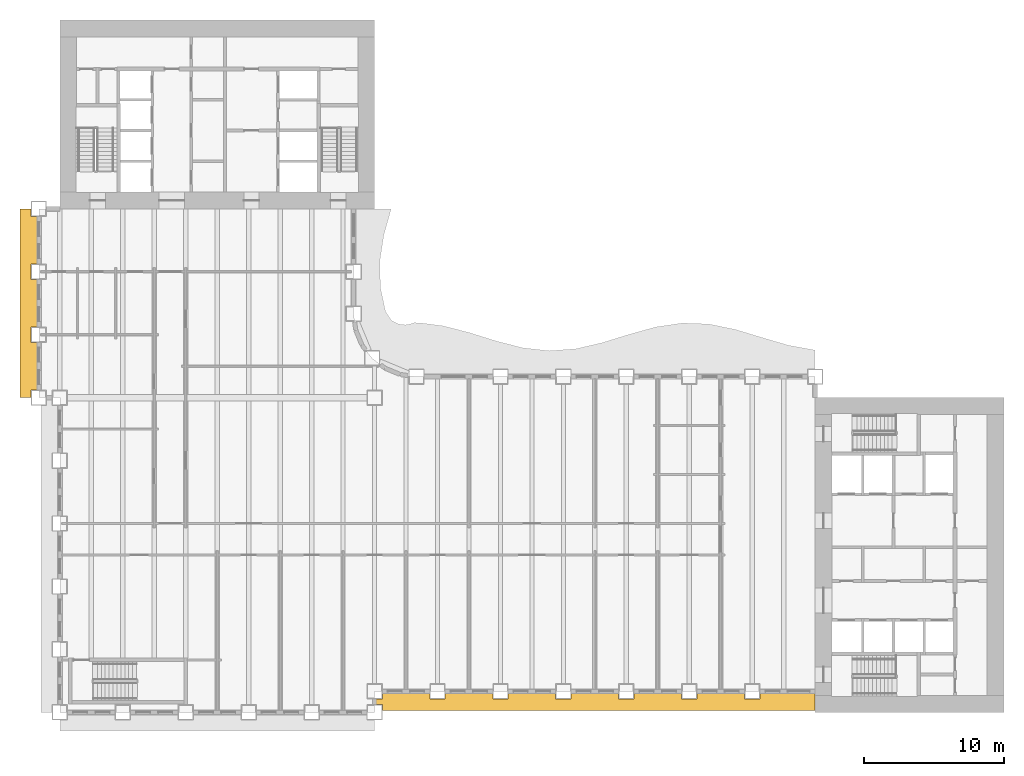
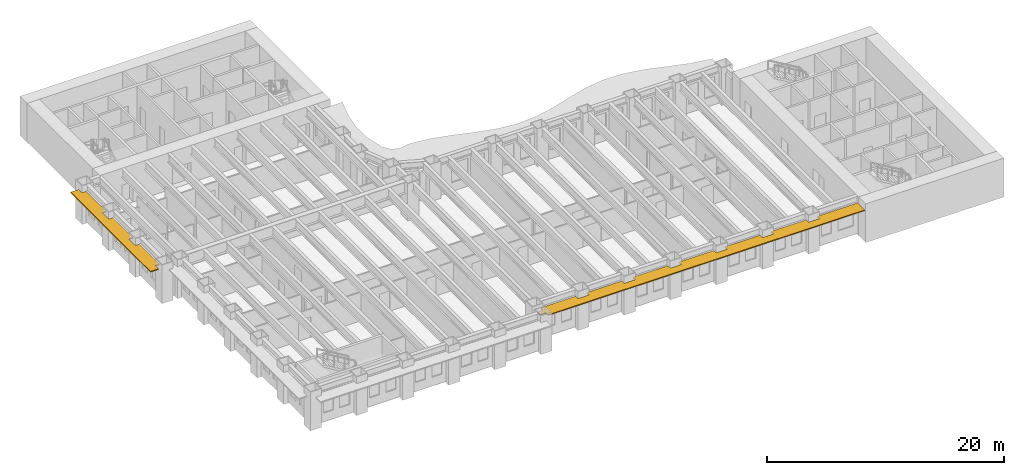
# One storey, part 12 of 16: 2 shading devices.
"""IFC4 building model written with IfcOpenShell, lengths in metres."""

from ifc_helpers import new_model, si_unit, direction, frame, origin, place, context, subcontext, project, spatial, polyline, outline, extrude, material, layer, layer_set, type_object, element, save


model = new_model("IFC4")

# Units and contexts
model_context = context("Model", 3, precision=1e-05, world=origin(), true_north=direction((0.0, 1.0)))
body_context = subcontext(model_context, "Body", "Model", "MODEL_VIEW")
ifc_project = project(units=[si_unit("LENGTHUNIT", "METRE"), si_unit("AREAUNIT", "SQUARE_METRE"), si_unit("VOLUMEUNIT", "CUBIC_METRE"), si_unit("PLANEANGLEUNIT", "RADIAN"), si_unit("MASSUNIT", "GRAM", prefix="KILO")], contexts=[model_context])

# Site, building, storey
site_placement = place(None, origin())
site = spatial("IfcSite", under=ifc_project, at=site_placement, CompositionType="ELEMENT")
building_placement = place(site_placement, origin())
building = spatial("IfcBuilding", under=site, at=building_placement, Name="Sennacour Bend Tower", CompositionType="ELEMENT")
storey_placement = place(building_placement, frame((0.0, 0.0, 45.0)))
storey = spatial("IfcBuildingStorey", under=building, at=storey_placement, Name="L09", CompositionType="ELEMENT", Elevation=45.0)

# Shading devices
ifc_material = material(Name="Bronze anodised aluminium", Category="aluminium")
ifc_layer = layer(ifc_material, 0.10009765625, Name="Bronze anodised aluminium", Category="aluminium")
ifc_layer_set = layer_set([ifc_layer], Name="Bronze anodised aluminium")
shading_device_type = type_object("IfcShadingDeviceType", Name="SUNSHADE BAND STRAIGHT", PredefinedType="USERDEFINED", material=ifc_layer_set)
shading_device_1_placement = place(storey_placement, frame((0.0, 0.0, 3.0439453125)))
element("IfcShadingDevice", 1, at=shading_device_1_placement, inside=storey, type_object=shading_device_type, Name="Sunshade band L09 A outer face", ObjectType="SUNSHADE", PredefinedType="USERDEFINED", context=body_context, shape_type="SweptSolid", body=[
    extrude(outline(polyline([(26.449951171875, 1.35009765625), (26.449951171875, 0.949951171875), (27.550048828125, 0.949951171875), (27.550048828125, 1.35009765625), (30.949951171875, 1.35009765625), (30.949951171875, 0.949951171875), (32.050048828125, 0.949951171875), (32.050048828125, 1.35009765625), (35.449951171875, 1.35009765625), (35.449951171875, 0.949951171875), (36.550048828125, 0.949951171875), (36.550048828125, 1.35009765625), (39.949951171875, 1.35009765625), (39.949951171875, 0.949951171875), (41.050048828125, 0.949951171875), (41.050048828125, 1.35009765625), (44.449951171875, 1.35009765625), (44.449951171875, 0.949951171875), (45.550048828125, 0.949951171875), (45.550048828125, 1.35009765625), (48.949951171875, 1.35009765625), (48.949951171875, 0.949951171875), (50.050048828125, 0.949951171875), (50.050048828125, 1.35009765625), (54.0, 1.35009765625), (54.0, 0.14990234375), (23.050048828125, 0.14990234375), (23.050048828125, 0.550048828125), (22.5, 0.550048828125), (22.5, 0.949951171875), (23.050048828125, 0.949951171875), (23.050048828125, 1.35009765625), (26.449951171875, 1.35009765625)])), origin(), (0.0, 0.0, 1.0), 0.10009765625),
])
shading_device_2_placement = place(storey_placement, frame((0.0, 0.0, 3.0439453125)))
element("IfcShadingDevice", 2, at=shading_device_2_placement, inside=storey, type_object=shading_device_type, Name="Sunshade band L09 B outer face", ObjectType="SUNSHADE", PredefinedType="USERDEFINED", context=body_context, shape_type="SweptSolid", body=[
    extrude(outline(polyline([(-1.64990234375, 32.050048828125), (-2.050048828125, 32.050048828125), (-2.050048828125, 30.949951171875), (-1.64990234375, 30.949951171875), (-1.64990234375, 27.550048828125), (-2.050048828125, 27.550048828125), (-2.050048828125, 26.449951171875), (-1.64990234375, 26.449951171875), (-1.64990234375, 23.050048828125), (-2.050048828125, 23.050048828125), (-2.050048828125, 22.5), (-2.85009765625, 22.5), (-2.85009765625, 36.0), (-2.050048828125, 36.0), (-2.050048828125, 35.449951171875), (-1.64990234375, 35.449951171875), (-1.64990234375, 32.050048828125)])), origin(), (0.0, 0.0, 1.0), 0.10009765625),
])

save(model, "model.ifc")
